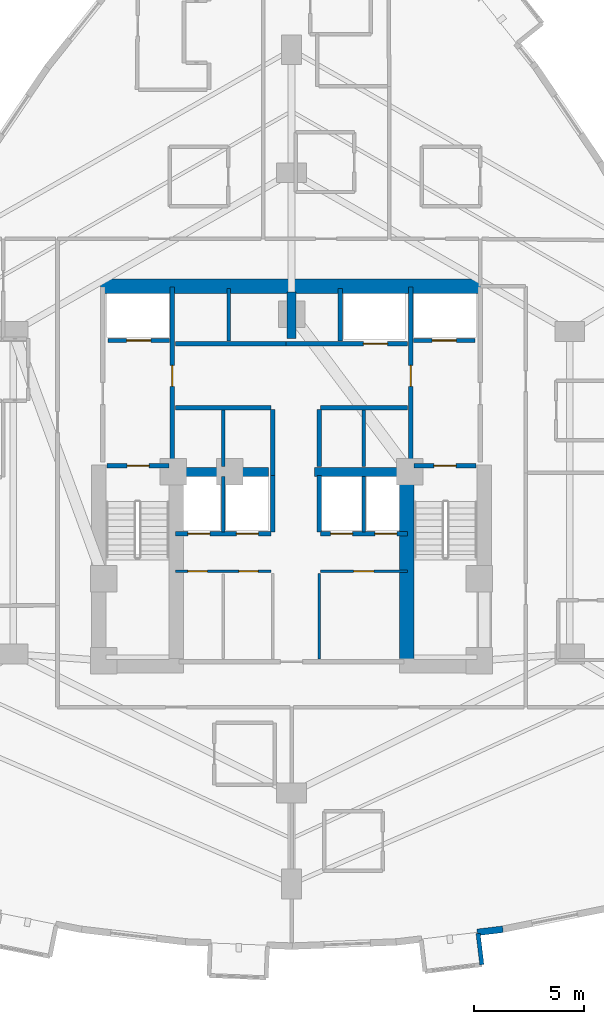
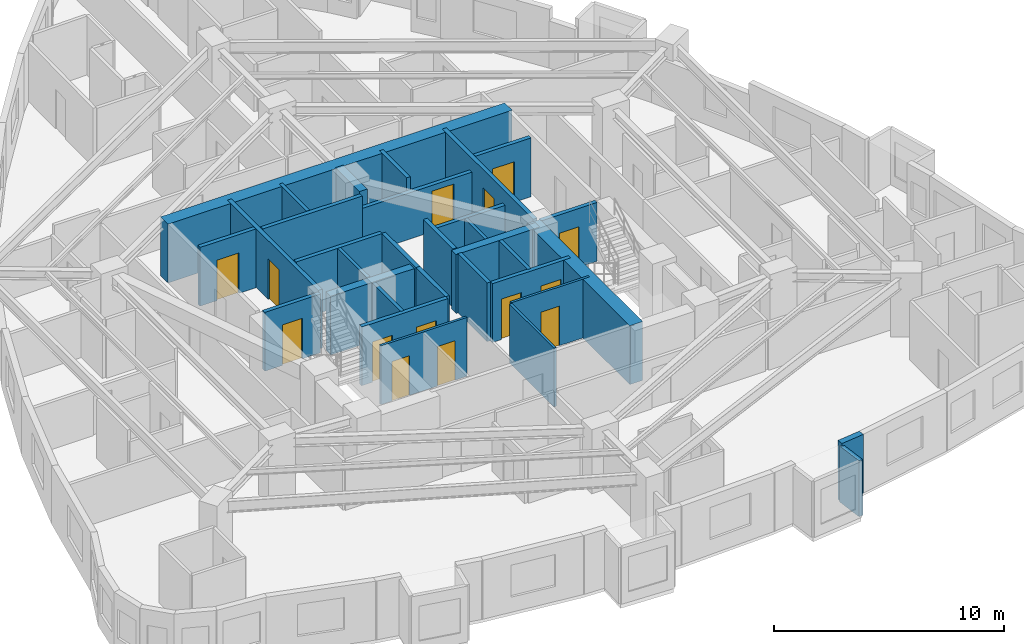
# One storey, part 8 of 13: 32 walls, 14 doors, 14 openings.
"""IFC4 building model written with IfcOpenShell, lengths in metres."""

import ifcopenshell
import ifcopenshell.guid

model = None  # the IFC model being written
_history = None  # IfcOwnerHistory: only IFC2X3 demands one
_inside = {}  # id of a spatial element -> (the spatial element, [elements in it])
_under = {}  # id of a project, library or spatial element -> (it, [spatial elements below it])
_declared = {}  # id of a project -> (the project, [libraries it declares])
_typed = {}  # id of a type object -> (the type object, [elements of that type])
_made_of = {}  # id of a material, layer set ... -> (it, [elements and type objects made of it])


def new_model(schema):
    """Start an empty IFC model of exactly this schema.

    Asked for "IFC4X3", IfcOpenShell would pick the latest addendum, in which some entities
    have other attributes; the version numbers below select the first issue.
    IFC2X3 requires an IfcOwnerHistory on every rooted entity: one is made here for all.
    """
    global model, _history
    if schema == "IFC4X3":
        model = ifcopenshell.file(schema_version=(4, 3, 0, 0))
    else:
        model = ifcopenshell.file(schema=schema)
    _inside.clear()
    _under.clear()
    _declared.clear()
    _typed.clear()
    _made_of.clear()
    _history = None
    if model.schema == "IFC2X3":
        org = make("IfcOrganization", Name="unknown")
        user = make(
            "IfcPersonAndOrganization",
            ThePerson=make("IfcPerson", FamilyName="unknown"),
            TheOrganization=org,
        )
        app = make(
            "IfcApplication",
            ApplicationDeveloper=org,
            Version="unknown",
            ApplicationFullName="unknown",
            ApplicationIdentifier="unknown",
        )
        _history = make(
            "IfcOwnerHistory",
            OwningUser=user,
            OwningApplication=app,
            ChangeAction="ADDED",
            CreationDate=0,
        )
    return model


def make(cls, **values):
    """One entity of the class cls with the attributes given. An attribute that is None is left unset."""
    return model.create_entity(
        cls, **{name: value for name, value in values.items() if value is not None}
    )


def rooted(cls, **values):
    """An entity with a GlobalId (a new one), such as an element, a storey or a relation."""
    return make(cls, GlobalId=ifcopenshell.guid.new(), OwnerHistory=_history, **values)


def si_unit(unit_type, name, prefix=None):
    """IfcSIUnit, for example si_unit("LENGTHUNIT", "METRE", prefix="MILLI")."""
    return make("IfcSIUnit", UnitType=unit_type, Prefix=prefix, Name=name)


def assignment(units):
    """IfcUnitAssignment: the units of a project."""
    return None if units is None else make("IfcUnitAssignment", Units=units)


def point(xyz):
    """IfcCartesianPoint."""
    return None if xyz is None else make("IfcCartesianPoint", Coordinates=xyz)


def direction(xyz):
    """IfcDirection."""
    return None if xyz is None else make("IfcDirection", DirectionRatios=xyz)


def frame(location, z_axis=None, x_axis=None):
    """IfcAxis2Placement3D, a coordinate frame: its origin and axes. An axis left out is left unset."""
    return make(
        "IfcAxis2Placement3D",
        Location=point(location),
        Axis=direction(z_axis),
        RefDirection=direction(x_axis),
    )


def frame_2d(location, x_axis=None):
    """IfcAxis2Placement2D, a coordinate frame in the plane: its origin and x axis."""
    return make(
        "IfcAxis2Placement2D", Location=point(location), RefDirection=direction(x_axis)
    )


def origin():
    """The frame at (0, 0, 0) with its axes left unset."""
    return frame((0.0, 0.0, 0.0))


def place(relative_to, where):
    """IfcLocalPlacement: puts the frame where relative to a parent placement (None: the world)."""
    return make(
        "IfcLocalPlacement", PlacementRelTo=relative_to, RelativePlacement=where
    )


def context(
    kind, dimensions, precision=None, world=None, true_north=None, identifier=None
):
    """IfcGeometricRepresentationContext, for example the 3D "Model" context."""
    return make(
        "IfcGeometricRepresentationContext",
        ContextIdentifier=identifier,
        ContextType=kind,
        CoordinateSpaceDimension=dimensions,
        Precision=precision,
        WorldCoordinateSystem=world,
        TrueNorth=true_north,
    )


def subcontext(parent, identifier, kind, view, scale=None):
    """IfcGeometricRepresentationSubContext, for example "Body" below "Model"."""
    return make(
        "IfcGeometricRepresentationSubContext",
        ContextIdentifier=identifier,
        ContextType=kind,
        ParentContext=parent,
        TargetScale=scale,
        TargetView=view,
    )


def project(units=None, contexts=None):
    """IfcProject with its units and contexts."""
    return rooted(
        "IfcProject",
        Name="project",
        RepresentationContexts=contexts,
        UnitsInContext=assignment(units),
    )


def spatial(cls, under=None, at=None, **own):
    """A site, building, storey or space (cls), placed at a placement, below another one or the project."""
    s = rooted(cls, ObjectPlacement=at, **own)
    if under is not None:
        _under.setdefault(under.id(), (under, []))[1].append(s)
    return s


def profile(cls, at=None, kind="AREA", **sizes):
    """A parametric profile (cls). Its sizes go by their IFC names, for example OverallWidth=200.0."""
    return make(cls, ProfileType=kind, Position=at, **sizes)


def rectangle(**sizes):
    """IfcRectangleProfileDef."""
    return profile("IfcRectangleProfileDef", **sizes)


def extrude(swept, where, along, depth):
    """IfcExtrudedAreaSolid: the profile swept, set in the frame where, extruded along a direction by depth."""
    return make(
        "IfcExtrudedAreaSolid",
        SweptArea=swept,
        Position=where,
        ExtrudedDirection=direction(along),
        Depth=depth,
    )


def shape(context_of_items, identifier, shape_type, items):
    """IfcShapeRepresentation: the items that make up one representation, for example the "Body"."""
    return make(
        "IfcShapeRepresentation",
        ContextOfItems=context_of_items,
        RepresentationIdentifier=identifier,
        RepresentationType=shape_type,
        Items=items,
    )


def material(Name=None, Category=None):
    """IfcMaterial."""
    return make("IfcMaterial", Name=Name, Category=Category)


def layer(
    of_material, thickness, ventilated=None, Name=None, Category=None, Priority=None
):
    """IfcMaterialLayer: one layer of a wall or slab, of a material (None: an air gap)."""
    return make(
        "IfcMaterialLayer",
        Material=of_material,
        LayerThickness=thickness,
        IsVentilated=ventilated,
        Name=Name,
        Category=Category,
        Priority=Priority,
    )


def layer_set(layers, Name=None):
    """IfcMaterialLayerSet."""
    return make("IfcMaterialLayerSet", MaterialLayers=layers, LayerSetName=Name)


def made_of(thing, what):
    """Note that an element or type object is made of a material, layer set ...; save() writes the relation."""
    if what is not None:
        _made_of.setdefault(what.id(), (what, []))[1].append(thing)
    return thing


def type_object(cls, material=None, **own):
    """A type object (cls), such as IfcWallType, which elements share."""
    return made_of(rooted(cls, **own), material)


def element(
    cls,
    number,
    at=None,
    inside=None,
    cuts=None,
    type_object=None,
    material=None,
    context=None,
    identifier="Body",
    shape_type=None,
    held_by="IfcProductDefinitionShape",
    body=None,
    shapes=None,
    **own,
):
    """One element of the class cls, such as IfcWall. Its Tag is "e" and its number.

    at: its placement. inside: the storey or other place that contains it. cuts: it is an
    opening in that element (IfcRelVoidsElement). A single representation is given by context,
    identifier, shape_type and body (its items); several are given by shapes. held_by: the class
    of the entity that holds the representations. save() writes the other relations.
    """
    e = rooted(cls, Tag="e%d" % number, ObjectPlacement=at, **own)
    if body is not None:
        shapes = [shape(context, identifier, shape_type, body)]
    if shapes is not None:
        e.Representation = make(held_by, Representations=shapes)
    if inside is not None:
        _inside.setdefault(inside.id(), (inside, []))[1].append(e)
    if cuts is not None:
        rooted(
            "IfcRelVoidsElement", RelatingBuildingElement=cuts, RelatedOpeningElement=e
        )
    if type_object is not None:
        _typed.setdefault(type_object.id(), (type_object, []))[1].append(e)
    return made_of(e, material)


def fill(opening, filler):
    """IfcRelFillsElement: the door or window that sits in an opening."""
    return rooted(
        "IfcRelFillsElement",
        RelatingOpeningElement=opening,
        RelatedBuildingElement=filler,
    )


def aggregate(whole, parts):
    """IfcRelAggregates: a whole, such as a stair, and the parts it consists of."""
    return rooted("IfcRelAggregates", RelatingObject=whole, RelatedObjects=parts)


def save(model, path):
    """Write the relations noted so far, then the file.

    IfcRelAggregates (storeys below a building ...), IfcRelContainedInSpatialStructure (elements
    in a storey), IfcRelDefinesByType, IfcRelAssociatesMaterial and IfcRelDeclares: one each for
    every whole, place, type object, material and project.
    """
    for whole, parts in _under.values():
        aggregate(whole, parts)
    for where, things in _inside.values():
        rooted(
            "IfcRelContainedInSpatialStructure",
            RelatedElements=things,
            RelatingStructure=where,
        )
    for kind, things in _typed.values():
        rooted("IfcRelDefinesByType", RelatedObjects=things, RelatingType=kind)
    for what, things in _made_of.values():
        rooted("IfcRelAssociatesMaterial", RelatedObjects=things, RelatingMaterial=what)
    for by, libraries in _declared.values():
        rooted("IfcRelDeclares", RelatingContext=by, RelatedDefinitions=libraries)
    model.write(path)


model = new_model("IFC4")

# Units and contexts
model_context = context("Model", 3, precision=1e-05, world=origin(), true_north=direction((0.0, 1.0)))
body_context = subcontext(model_context, "Body", "Model", "MODEL_VIEW")
ifc_project = project(units=[si_unit("LENGTHUNIT", "METRE"), si_unit("AREAUNIT", "SQUARE_METRE"), si_unit("VOLUMEUNIT", "CUBIC_METRE"), si_unit("PLANEANGLEUNIT", "RADIAN"), si_unit("MASSUNIT", "GRAM", prefix="KILO")], contexts=[model_context])

# Site, building, storey
site_placement = place(None, origin())
site = spatial("IfcSite", under=ifc_project, at=site_placement, CompositionType="ELEMENT")
building_placement = place(site_placement, origin())
building = spatial("IfcBuilding", under=site, at=building_placement, Name="Miruveldt Soraemaru", CompositionType="ELEMENT")
storey_placement = place(building_placement, frame((0.0, 0.0, 63.199951171875)))
storey = spatial("IfcBuildingStorey", under=building, at=storey_placement, Name="L17", CompositionType="ELEMENT", Elevation=63.199951171875)

# Walls
ifc_material_1 = material(Name="White powder-coated aluminium EN AW-6060 T6", Category="aluminium")
ifc_layer_1 = layer(ifc_material_1, 0.18994140625, Name="White powder-coated aluminium EN AW-6060 T6", Category="aluminium")
ifc_layer_set_1 = layer_set([ifc_layer_1], Name="White powder-coated aluminium EN AW-6060 T6")
wall_type_1 = type_object("IfcWallType", Name="WALL-BAY-ALU190", PredefinedType="SOLIDWALL", material=ifc_layer_set_1)
wall_1_placement = place(storey_placement, frame((52.62060546875, 21.728271484375, 0.0), z_axis=(0.0, 0.0, 1.0), x_axis=(-0.119057405757, 0.992887372331, 0.0)))
element("IfcWall", 1, at=wall_1_placement, inside=storey, type_object=wall_type_1, Name="L17 Bay Window Side Cheek 3R", PredefinedType="SOLIDWALL", context=body_context, shape_type="SweptSolid", body=[
    extrude(rectangle(XDim=1.42529296875, YDim=0.18994140625, at=frame_2d((0.712646484375, 0.0))), origin(), (0.0, 0.0, 1.0), 2.97509765625),
])
ifc_material_2 = material(Name="Concrete C70/85 (70 MPa)", Category="concrete")
ifc_layer_2 = layer(ifc_material_2, 0.5, Name="Concrete C70/85 (70 MPa)", Category="concrete")
ifc_layer_set_2 = layer_set([ifc_layer_2], Name="Concrete C70/85 (70 MPa)")
wall_type_2 = type_object("IfcWallType", Name="WALL-BW-500", PredefinedType="SHEAR", material=ifc_layer_set_2)
wall_2_placement = place(storey_placement, frame((44.0, 50.10009765625, 0.0), z_axis=(0.0, 0.0, 1.0), x_axis=(0.0, 1.0, 0.0)))
element("IfcWall", 2, at=wall_2_placement, inside=storey, type_object=wall_type_2, Name="L17 Core Buttress Shear Wall BN", PredefinedType="SHEAR", context=body_context, shape_type="SweptSolid", body=[
    extrude(rectangle(XDim=2.099853515625, YDim=0.39990234375, at=frame_2d((1.0498046875, 0.0))), origin(), (0.0, 0.0, 1.0), 3.125),
])
for number, where, z_axis, x_axis, name in (
    (3, (38.75, 44.050048828125, 0.0), (0.0, 0.0, 1.0), (1.0, 0.0, 0.0), "L17 Core Buttress Shear Wall BW"),
    (4, (45.050048828125, 44.050048828125, 0.0), (0.0, 0.0, 1.0), (1.0, 0.0, 0.0), "L17 Core Buttress Shear Wall BE"),
):
    element("IfcWall", number, at=place(storey_placement, frame(where, z_axis=z_axis, x_axis=x_axis)), inside=storey, type_object=wall_type_2, Name=name, PredefinedType="SHEAR", context=body_context, shape_type="SweptSolid", body=[
        extrude(rectangle(XDim=4.199951171875, YDim=0.39990234375, at=frame_2d((2.10009765625, 0.0))), origin(), (0.0, 0.0, 1.0), 3.125),
    ])
ifc_material_3 = material(Name="Concrete C80/95 (80 MPa)", Category="concrete")
ifc_layer_3 = layer(ifc_material_3, 0.64990234375, Name="Concrete C80/95 (80 MPa)", Category="concrete")
ifc_layer_set_3 = layer_set([ifc_layer_3], Name="Concrete C80/95 (80 MPa)")
wall_type_3 = type_object("IfcWallType", Name="WALL-CW-650", PredefinedType="SHEAR", material=ifc_layer_set_3)
wall_3_placement = place(storey_placement, frame((35.35009765625, 52.449951171875, 0.0), z_axis=(0.0, 0.0, 1.0), x_axis=(1.0, 0.0, 0.0)))
element("IfcWall", 5, at=wall_3_placement, inside=storey, type_object=wall_type_3, Name="L17 Central Core Shear Wall N", PredefinedType="SHEAR", context=body_context, shape_type="SweptSolid", body=[
    extrude(rectangle(XDim=17.2998046875, YDim=0.64990234375, at=frame_2d((8.64990234375, 0.0))), origin(), (0.0, 0.0, 1.0), 3.125),
])
wall_4_placement = place(storey_placement, frame((49.22509765625, 35.39990234375, 0.0), z_axis=(0.0, 0.0, 1.0), x_axis=(0.0, 1.0, 0.0)))
element("IfcWall", 6, at=wall_4_placement, inside=storey, type_object=wall_type_3, Name="L17 Central Core Shear Wall SE-INT", PredefinedType="SHEAR", context=body_context, shape_type="SweptSolid", body=[
    extrude(rectangle(XDim=8.9501953125, YDim=0.64990234375, at=frame_2d((4.47509765625, 0.0))), origin(), (0.0, 0.0, 1.0), 3.125),
])
ifc_material_4 = material(Name="Precast concrete C45/55 (45 MPa)", Category="concrete")
ifc_layer_4 = layer(ifc_material_4, 0.300048828125, Name="Precast concrete C45/55 (45 MPa)", Category="concrete")
ifc_layer_set_4 = layer_set([ifc_layer_4], Name="Precast concrete C45/55 (45 MPa)")
wall_type_4 = type_object("IfcWallType", Name="WALL-EXT-PC300", PredefinedType="SOLIDWALL", material=ifc_layer_set_4)
wall_5_placement = place(storey_placement, frame((52.41455078125, 23.194091796875, 0.0), z_axis=(0.0, 0.0, 1.0), x_axis=(0.992861979082, 0.119268983789, 0.0)))
element("IfcWall", 7, at=wall_5_placement, inside=storey, type_object=wall_type_4, Name="L17 Precast Pier Wall 26B", PredefinedType="SOLIDWALL", context=body_context, shape_type="SweptSolid", body=[
    extrude(rectangle(XDim=1.166748046875, YDim=0.300048828125, at=frame_2d((0.58349609375, 0.0))), origin(), (0.0, 0.0, 1.0), 3.125),
])

# Wall, openings, doors
ifc_material_5 = material(Name="Gypsum plasterboard lining", Category="gypsum")
ifc_layer_5 = layer(ifc_material_5, 0.1201171875, Name="Gypsum plasterboard lining", Category="gypsum")
ifc_layer_set_5 = layer_set([ifc_layer_5], Name="Gypsum plasterboard lining")
wall_type_5 = type_object("IfcWallType", Name="WALL-INT-P120", PredefinedType="PARTITIONING", material=ifc_layer_set_5)
wall_6_placement = place(storey_placement, frame((38.75, 39.550048828125, 0.0), z_axis=(0.0, 0.0, 1.0), x_axis=(1.0, 0.0, 0.0)))
wall_6 = element("IfcWall", 8, at=wall_6_placement, inside=storey, type_object=wall_type_5, Name="L17 Core Compartment Wall CSW-N", PredefinedType="PARTITIONING", context=body_context, shape_type="SweptSolid", body=[
    extrude(rectangle(XDim=4.330078125, YDim=0.1201171875, at=frame_2d((2.1650390625, 0.0))), origin(), (0.0, 0.0, 1.0), 3.125),
])
opening_1_placement = place(wall_6_placement, frame((0.56005859375, 0.0, 0.0)))
opening_1 = element("IfcOpeningElement", 9, at=opening_1_placement, cuts=wall_6, Name="Opening D4", PredefinedType="OPENING", context=body_context, shape_type="SweptSolid", body=[
    extrude(rectangle(XDim=0.8798828125, YDim=2.10009765625, at=frame_2d((0.43994140625, 1.050048828125))), frame((0.0, 0.070068359375, 0.0), z_axis=(0.0, -1.0, 0.0), x_axis=(1.0, 0.0, 0.0)), (0.0, 0.0, 1.0), 0.14013671875),
])
opening_2_placement = place(wall_6_placement, frame((2.860107421875, 0.0, 0.0)))
opening_2 = element("IfcOpeningElement", 10, at=opening_2_placement, cuts=wall_6, Name="Opening D4", PredefinedType="OPENING", context=body_context, shape_type="SweptSolid", body=[
    extrude(rectangle(XDim=0.8798828125, YDim=2.10009765625, at=frame_2d((0.43994140625, 1.050048828125))), frame((0.0, 0.070068359375, 0.0), z_axis=(0.0, -1.0, 0.0), x_axis=(1.0, 0.0, 0.0)), (0.0, 0.0, 1.0), 0.14013671875),
])
ifc_material_6 = material(Name="Anodised aluminium EN AW-6063 T6", Category="aluminium")
door_type_1 = type_object("IfcDoorType", Name="DOOR-INT-880", OperationType="NOTDEFINED", PredefinedType="DOOR", material=ifc_material_6)
door_1_placement = place(opening_1_placement, origin())
door_1 = element("IfcDoor", 11, at=door_1_placement, inside=storey, type_object=door_type_1, Name="L17 Fire Door", OperationType="SINGLE_SWING_LEFT", OverallHeight=2.10009765625, OverallWidth=0.8798828125, PredefinedType="DOOR", context=body_context, shape_type="SweptSolid", body=[
    extrude(rectangle(XDim=0.8798828125, YDim=2.10009765625, at=frame_2d((0.43994140625, 1.050048828125))), frame((0.0, 0.02490234375, 0.0), z_axis=(0.0, -1.0, 0.0), x_axis=(1.0, 0.0, 0.0)), (0.0, 0.0, 1.0), 0.050048828125),
])
fill(opening_1, door_1)
door_2_placement = place(opening_2_placement, origin())
door_2 = element("IfcDoor", 12, at=door_2_placement, inside=storey, type_object=door_type_1, Name="L17 Fire Door", OperationType="SINGLE_SWING_LEFT", OverallHeight=2.10009765625, OverallWidth=0.8798828125, PredefinedType="DOOR", context=body_context, shape_type="SweptSolid", body=[
    extrude(rectangle(XDim=0.8798828125, YDim=2.10009765625, at=frame_2d((0.43994140625, 1.050048828125))), frame((0.0, 0.02490234375, 0.0), z_axis=(0.0, -1.0, 0.0), x_axis=(1.0, 0.0, 0.0)), (0.0, 0.0, 1.0), 0.050048828125),
])
fill(opening_2, door_2)

# Wall, opening, door
wall_7_placement = place(storey_placement, frame((45.320068359375, 39.550048828125, 0.0), z_axis=(0.0, 0.0, 1.0), x_axis=(1.0, 0.0, 0.0)))
wall_7 = element("IfcWall", 13, at=wall_7_placement, inside=storey, type_object=wall_type_5, Name="L17 Core Compartment Wall CSE-N", PredefinedType="PARTITIONING", context=body_context, shape_type="SweptSolid", body=[
    extrude(rectangle(XDim=3.929931640625, YDim=0.1201171875, at=frame_2d((1.96484375, 0.0))), origin(), (0.0, 0.0, 1.0), 3.125),
])
opening_3_placement = place(wall_7_placement, frame((1.489990234375, 0.0, 0.0)))
opening_3 = element("IfcOpeningElement", 14, at=opening_3_placement, cuts=wall_7, Name="Opening D3A", PredefinedType="OPENING", context=body_context, shape_type="SweptSolid", body=[
    extrude(rectangle(XDim=0.919921875, YDim=2.10009765625, at=frame_2d((0.4599609375, 1.050048828125))), frame((0.0, 0.070068359375, 0.0), z_axis=(0.0, -1.0, 0.0), x_axis=(1.0, 0.0, 0.0)), (0.0, 0.0, 1.0), 0.14013671875),
])
door_type_2 = type_object("IfcDoorType", Name="DOOR-INT-920", OperationType="NOTDEFINED", PredefinedType="DOOR", material=ifc_material_6)
door_3_placement = place(opening_3_placement, origin())
door_3 = element("IfcDoor", 15, at=door_3_placement, inside=storey, type_object=door_type_2, Name="L17 Fire Door", OperationType="SINGLE_SWING_LEFT", OverallHeight=2.10009765625, OverallWidth=0.919921875, PredefinedType="DOOR", context=body_context, shape_type="SweptSolid", body=[
    extrude(rectangle(XDim=0.919921875, YDim=2.10009765625, at=frame_2d((0.4599609375, 1.050048828125))), frame((0.0, 0.02490234375, 0.0), z_axis=(0.0, -1.0, 0.0), x_axis=(1.0, 0.0, 0.0)), (0.0, 0.0, 1.0), 0.050048828125),
])
fill(opening_3, door_3)

# Walls
wall_8_placement = place(storey_placement, frame((45.25, 35.580078125, 0.0), z_axis=(0.0, 0.0, 1.0), x_axis=(0.0, 1.0, 0.0)))
element("IfcWall", 16, at=wall_8_placement, inside=storey, type_object=wall_type_5, Name="L17 Core Compartment Wall SP-ES", PredefinedType="PARTITIONING", context=body_context, shape_type="SweptSolid", body=[
    extrude(rectangle(XDim=3.869873046875, YDim=0.1201171875, at=frame_2d((1.93505859375, 0.0))), origin(), (0.0, 0.0, 1.0), 3.125),
])
ifc_material_7 = material(Name="Concrete C40/50 (40 MPa)", Category="concrete")
ifc_layer_6 = layer(ifc_material_7, 0.159912109375, Name="Concrete C40/50 (40 MPa)", Category="concrete")
ifc_layer_set_6 = layer_set([ifc_layer_6], Name="Concrete C40/50 (40 MPa)")
wall_type_6 = type_object("IfcWallType", Name="WALL-INT-RC160", PredefinedType="SOLIDWALL", material=ifc_layer_set_6)
wall_9_placement = place(storey_placement, frame((40.89990234375, 44.300048828125, 0.0), z_axis=(0.0, 0.0, 1.0), x_axis=(0.0, 1.0, 0.0)))
element("IfcWall", 17, at=wall_9_placement, inside=storey, type_object=wall_type_6, Name="L17 Core Compartment Wall PLM-DW", PredefinedType="SOLIDWALL", context=body_context, shape_type="SweptSolid", body=[
    extrude(rectangle(XDim=2.550048828125, YDim=0.159912109375, at=frame_2d((1.27490234375, 0.0))), origin(), (0.0, 0.0, 1.0), 3.125),
])
wall_10_placement = place(storey_placement, frame((47.280029296875, 44.300048828125, 0.0), z_axis=(0.0, 0.0, 1.0), x_axis=(0.0, 1.0, 0.0)))
element("IfcWall", 18, at=wall_10_placement, inside=storey, type_object=wall_type_6, Name="L17 Core Compartment Wall PLM-DE", PredefinedType="SOLIDWALL", context=body_context, shape_type="SweptSolid", body=[
    extrude(rectangle(XDim=2.550048828125, YDim=0.159912109375, at=frame_2d((1.27490234375, 0.0))), origin(), (0.0, 0.0, 1.0), 2.463134765625),
])
for number, where, z_axis, x_axis, name in (
    (19, (40.89990234375, 41.320068359375, 0.0), (0.0, 0.0, 1.0), (0.0, 1.0, 0.0), "L17 Core Compartment Wall PLL-DW"),
    (20, (47.280029296875, 41.320068359375, 0.0), (0.0, 0.0, 1.0), (0.0, 1.0, 0.0), "L17 Core Compartment Wall PLL-DE"),
):
    element("IfcWall", number, at=place(storey_placement, frame(where, z_axis=z_axis, x_axis=x_axis)), inside=storey, type_object=wall_type_6, Name=name, PredefinedType="SOLIDWALL", context=body_context, shape_type="SweptSolid", body=[
        extrude(rectangle(XDim=2.530029296875, YDim=0.159912109375, at=frame_2d((1.26513671875, 0.0))), origin(), (0.0, 0.0, 1.0), 3.125),
    ])
wall_11_placement = place(storey_placement, frame((41.14990234375, 49.97998046875, 0.0), z_axis=(0.0, 0.0, 1.0), x_axis=(0.0, 1.0, 0.0)))
element("IfcWall", 21, at=wall_11_placement, inside=storey, type_object=wall_type_6, Name="L17 Core Compartment Wall PLH-DIV1", PredefinedType="SOLIDWALL", context=body_context, shape_type="SweptSolid", body=[
    extrude(rectangle(XDim=2.3701171875, YDim=0.159912109375, at=frame_2d((1.18505859375, 0.0))), origin(), (0.0, 0.0, 1.0), 3.125),
])

# Wall, opening, door
ifc_layer_7 = layer(ifc_material_7, 0.199951171875, Name="Concrete C40/50 (40 MPa)", Category="concrete")
ifc_layer_set_7 = layer_set([ifc_layer_7], Name="Concrete C40/50 (40 MPa)")
wall_type_7 = type_object("IfcWallType", Name="WALL-INT-RC200", PredefinedType="SOLIDWALL", material=ifc_layer_set_7)
wall_12_placement = place(storey_placement, frame((38.60009765625, 44.5, 0.0), z_axis=(0.0, 0.0, 1.0), x_axis=(0.0, 1.0, 0.0)))
wall_12 = element("IfcWall", 22, at=wall_12_placement, inside=storey, type_object=wall_type_7, Name="L17 Core Compartment Wall FFW-IN", PredefinedType="SOLIDWALL", context=body_context, shape_type="SweptSolid", body=[
    extrude(rectangle(XDim=7.919921875, YDim=0.199951171875, at=frame_2d((3.9599609375, 0.0))), origin(), (0.0, 0.0, 1.0), 3.125),
])
opening_4_placement = place(wall_12_placement, frame((3.425048828125, 0.0, 0.0)))
opening_4 = element("IfcOpeningElement", 23, at=opening_4_placement, cuts=wall_12, Name="Opening FD2", PredefinedType="OPENING", context=body_context, shape_type="SweptSolid", body=[
    extrude(rectangle(XDim=0.949951171875, YDim=2.14990234375, at=frame_2d((0.47509765625, 1.074951171875))), frame((0.0, 0.10986328125, 0.0), z_axis=(0.0, -1.0, 0.0), x_axis=(1.0, 0.0, 0.0)), (0.0, 0.0, 1.0), 0.219970703125),
])
door_type_3 = type_object("IfcDoorType", Name="DOOR-FD2-950", OperationType="NOTDEFINED", PredefinedType="DOOR", material=ifc_material_6)
door_4_placement = place(opening_4_placement, frame((0.949951171875, 0.0, 0.0), z_axis=(0.0, 0.0, 1.0), x_axis=(-1.0, 0.0, 0.0)))
door_4 = element("IfcDoor", 24, at=door_4_placement, inside=storey, type_object=door_type_3, Name="L17 Lift Lobby to West Fire Lobby Door", OperationType="SINGLE_SWING_RIGHT", OverallHeight=2.14990234375, OverallWidth=0.949951171875, PredefinedType="DOOR", context=body_context, shape_type="SweptSolid", body=[
    extrude(rectangle(XDim=0.949951171875, YDim=2.14990234375, at=frame_2d((0.47509765625, 1.074951171875))), frame((0.0, 0.02490234375, 0.0), z_axis=(0.0, -1.0, 0.0), x_axis=(1.0, 0.0, 0.0)), (0.0, 0.0, 1.0), 0.050048828125),
])
fill(opening_4, door_4)

wall_13_placement = place(storey_placement, frame((49.39990234375, 44.5, 0.0), z_axis=(0.0, 0.0, 1.0), x_axis=(0.0, 1.0, 0.0)))
wall_13 = element("IfcWall", 25, at=wall_13_placement, inside=storey, type_object=wall_type_7, Name="L17 Core Compartment Wall FFE-IN", PredefinedType="SOLIDWALL", context=body_context, shape_type="SweptSolid", body=[
    extrude(rectangle(XDim=7.919921875, YDim=0.199951171875, at=frame_2d((3.9599609375, 0.0))), origin(), (0.0, 0.0, 1.0), 3.125),
])
opening_5_placement = place(wall_13_placement, frame((3.425048828125, 0.0, 0.0)))
opening_5 = element("IfcOpeningElement", 26, at=opening_5_placement, cuts=wall_13, Name="Opening FD2", PredefinedType="OPENING", context=body_context, shape_type="SweptSolid", body=[
    extrude(rectangle(XDim=0.949951171875, YDim=2.14990234375, at=frame_2d((0.47509765625, 1.074951171875))), frame((0.0, 0.10986328125, 0.0), z_axis=(0.0, -1.0, 0.0), x_axis=(1.0, 0.0, 0.0)), (0.0, 0.0, 1.0), 0.219970703125),
])
door_5_placement = place(opening_5_placement, origin())
door_5 = element("IfcDoor", 27, at=door_5_placement, inside=storey, type_object=door_type_3, Name="L17 Lift Lobby to East Fire Lobby Door", OperationType="SINGLE_SWING_LEFT", OverallHeight=2.14990234375, OverallWidth=0.949951171875, PredefinedType="DOOR", context=body_context, shape_type="SweptSolid", body=[
    extrude(rectangle(XDim=0.949951171875, YDim=2.14990234375, at=frame_2d((0.47509765625, 1.074951171875))), frame((0.0, 0.02490234375, 0.0), z_axis=(0.0, -1.0, 0.0), x_axis=(1.0, 0.0, 0.0)), (0.0, 0.0, 1.0), 0.050048828125),
])
fill(opening_5, door_5)

wall_14_placement = place(storey_placement, frame((43.75, 49.85009765625, 0.0), z_axis=(0.0, 0.0, 1.0), x_axis=(1.0, 0.0, 0.0)))
wall_14 = element("IfcWall", 28, at=wall_14_placement, inside=storey, type_object=wall_type_7, Name="L17 Core Compartment Wall ROWA-SE", PredefinedType="SOLIDWALL", context=body_context, shape_type="SweptSolid", body=[
    extrude(rectangle(XDim=5.5, YDim=0.199951171875, at=frame_2d((2.75, 0.0))), origin(), (0.0, 0.0, 1.0), 2.463134765625),
])
opening_6_placement = place(wall_14_placement, frame((3.5, 0.0, 0.0)))
opening_6 = element("IfcOpeningElement", 29, at=opening_6_placement, cuts=wall_14, Name="Opening LD2", PredefinedType="OPENING", context=body_context, shape_type="SweptSolid", body=[
    extrude(rectangle(XDim=1.10009765625, YDim=2.14990234375, at=frame_2d((0.550048828125, 1.074951171875))), frame((0.0, 0.10986328125, 0.0), z_axis=(0.0, -1.0, 0.0), x_axis=(1.0, 0.0, 0.0)), (0.0, 0.0, 1.0), 0.219970703125),
])
door_type_4 = type_object("IfcDoorType", Name="DOOR-LD2-1100", OperationType="SLIDING_TO_LEFT", PredefinedType="DOOR", material=ifc_material_6)
door_6_placement = place(opening_6_placement, origin())
door_6 = element("IfcDoor", 30, at=door_6_placement, inside=storey, type_object=door_type_4, Name="L17 SL-1 Landing Door", OperationType="SLIDING_TO_LEFT", OverallHeight=2.14990234375, OverallWidth=1.10009765625, PredefinedType="DOOR", context=body_context, shape_type="SweptSolid", body=[
    extrude(rectangle(XDim=1.10009765625, YDim=2.14990234375, at=frame_2d((0.550048828125, 1.074951171875))), frame((0.0, 0.02490234375, 0.0), z_axis=(0.0, -1.0, 0.0), x_axis=(1.0, 0.0, 0.0)), (0.0, 0.0, 1.0), 0.050048828125),
])
fill(opening_6, door_6)

# Wall, openings, doors
wall_15_placement = place(storey_placement, frame((38.75, 41.25, 0.0), z_axis=(0.0, 0.0, 1.0), x_axis=(1.0, 0.0, 0.0)))
wall_15 = element("IfcWall", 31, at=wall_15_placement, inside=storey, type_object=wall_type_7, Name="L17 Core Compartment Wall LBW-S", PredefinedType="SOLIDWALL", context=body_context, shape_type="SweptSolid", body=[
    extrude(rectangle(XDim=4.330078125, YDim=0.199951171875, at=frame_2d((2.1650390625, 0.0))), origin(), (0.0, 0.0, 1.0), 3.125),
])
opening_7_placement = place(wall_15_placement, frame((0.550048828125, 0.0, 0.0)))
opening_7 = element("IfcOpeningElement", 32, at=opening_7_placement, cuts=wall_15, Name="Opening LD1B", PredefinedType="OPENING", context=body_context, shape_type="SweptSolid", body=[
    extrude(rectangle(XDim=1.0, YDim=2.14990234375, at=frame_2d((0.5, 1.074951171875))), frame((0.0, 0.10986328125, 0.0), z_axis=(0.0, -1.0, 0.0), x_axis=(1.0, 0.0, 0.0)), (0.0, 0.0, 1.0), 0.219970703125),
])
opening_8_placement = place(wall_15_placement, frame((2.75, 0.0, 0.0)))
opening_8 = element("IfcOpeningElement", 33, at=opening_8_placement, cuts=wall_15, Name="Opening LD1B", PredefinedType="OPENING", context=body_context, shape_type="SweptSolid", body=[
    extrude(rectangle(XDim=1.0, YDim=2.14990234375, at=frame_2d((0.5, 1.074951171875))), frame((0.0, 0.10986328125, 0.0), z_axis=(0.0, -1.0, 0.0), x_axis=(1.0, 0.0, 0.0)), (0.0, 0.0, 1.0), 0.219970703125),
])
door_type_5 = type_object("IfcDoorType", Name="DOOR-LD1-1000", OperationType="SLIDING_TO_LEFT", PredefinedType="DOOR", material=ifc_material_6)
door_7_placement = place(opening_7_placement, frame((1.0, 0.0, 0.0), z_axis=(0.0, 0.0, 1.0), x_axis=(-1.0, 0.0, 0.0)))
door_7 = element("IfcDoor", 34, at=door_7_placement, inside=storey, type_object=door_type_5, Name="L17 PL-L1 Landing Door", OperationType="SLIDING_TO_LEFT", OverallHeight=2.14990234375, OverallWidth=1.0, PredefinedType="DOOR", context=body_context, shape_type="SweptSolid", body=[
    extrude(rectangle(XDim=1.0, YDim=2.14990234375, at=frame_2d((0.5, 1.074951171875))), frame((0.0, 0.02490234375, 0.0), z_axis=(0.0, -1.0, 0.0), x_axis=(1.0, 0.0, 0.0)), (0.0, 0.0, 1.0), 0.050048828125),
])
fill(opening_7, door_7)
door_8_placement = place(opening_8_placement, frame((1.0, 0.0, 0.0), z_axis=(0.0, 0.0, 1.0), x_axis=(-1.0, 0.0, 0.0)))
door_8 = element("IfcDoor", 35, at=door_8_placement, inside=storey, type_object=door_type_5, Name="L17 PL-L2 Landing Door", OperationType="SLIDING_TO_LEFT", OverallHeight=2.14990234375, OverallWidth=1.0, PredefinedType="DOOR", context=body_context, shape_type="SweptSolid", body=[
    extrude(rectangle(XDim=1.0, YDim=2.14990234375, at=frame_2d((0.5, 1.074951171875))), frame((0.0, 0.02490234375, 0.0), z_axis=(0.0, -1.0, 0.0), x_axis=(1.0, 0.0, 0.0)), (0.0, 0.0, 1.0), 0.050048828125),
])
fill(opening_8, door_8)

wall_16_placement = place(storey_placement, frame((45.320068359375, 41.25, 0.0), z_axis=(0.0, 0.0, 1.0), x_axis=(1.0, 0.0, 0.0)))
wall_16 = element("IfcWall", 36, at=wall_16_placement, inside=storey, type_object=wall_type_7, Name="L17 Core Compartment Wall LBE-S", PredefinedType="SOLIDWALL", context=body_context, shape_type="SweptSolid", body=[
    extrude(rectangle(XDim=3.929931640625, YDim=0.199951171875, at=frame_2d((1.96484375, 0.0))), origin(), (0.0, 0.0, 1.0), 3.125),
])
opening_9_placement = place(wall_16_placement, frame((0.449951171875, 0.0, 0.0)))
opening_9 = element("IfcOpeningElement", 37, at=opening_9_placement, cuts=wall_16, Name="Opening LD1B", PredefinedType="OPENING", context=body_context, shape_type="SweptSolid", body=[
    extrude(rectangle(XDim=1.0, YDim=2.14990234375, at=frame_2d((0.5, 1.074951171875))), frame((0.0, 0.10986328125, 0.0), z_axis=(0.0, -1.0, 0.0), x_axis=(1.0, 0.0, 0.0)), (0.0, 0.0, 1.0), 0.219970703125),
])
opening_10_placement = place(wall_16_placement, frame((2.449951171875, 0.0, 0.0)))
opening_10 = element("IfcOpeningElement", 38, at=opening_10_placement, cuts=wall_16, Name="Opening LD1B", PredefinedType="OPENING", context=body_context, shape_type="SweptSolid", body=[
    extrude(rectangle(XDim=1.0, YDim=2.14990234375, at=frame_2d((0.5, 1.074951171875))), frame((0.0, 0.10986328125, 0.0), z_axis=(0.0, -1.0, 0.0), x_axis=(1.0, 0.0, 0.0)), (0.0, 0.0, 1.0), 0.219970703125),
])
door_9_placement = place(opening_9_placement, frame((1.0, 0.0, 0.0), z_axis=(0.0, 0.0, 1.0), x_axis=(-1.0, 0.0, 0.0)))
door_9 = element("IfcDoor", 39, at=door_9_placement, inside=storey, type_object=door_type_5, Name="L17 PL-L3 Landing Door", OperationType="SLIDING_TO_LEFT", OverallHeight=2.14990234375, OverallWidth=1.0, PredefinedType="DOOR", context=body_context, shape_type="SweptSolid", body=[
    extrude(rectangle(XDim=1.0, YDim=2.14990234375, at=frame_2d((0.5, 1.074951171875))), frame((0.0, 0.02490234375, 0.0), z_axis=(0.0, -1.0, 0.0), x_axis=(1.0, 0.0, 0.0)), (0.0, 0.0, 1.0), 0.050048828125),
])
fill(opening_9, door_9)
door_10_placement = place(opening_10_placement, frame((1.0, 0.0, 0.0), z_axis=(0.0, 0.0, 1.0), x_axis=(-1.0, 0.0, 0.0)))
door_10 = element("IfcDoor", 40, at=door_10_placement, inside=storey, type_object=door_type_5, Name="L17 PL-L4 Landing Door", OperationType="SLIDING_TO_LEFT", OverallHeight=2.14990234375, OverallWidth=1.0, PredefinedType="DOOR", context=body_context, shape_type="SweptSolid", body=[
    extrude(rectangle(XDim=1.0, YDim=2.14990234375, at=frame_2d((0.5, 1.074951171875))), frame((0.0, 0.02490234375, 0.0), z_axis=(0.0, -1.0, 0.0), x_axis=(1.0, 0.0, 0.0)), (0.0, 0.0, 1.0), 0.050048828125),
])
fill(opening_10, door_10)

# Wall, opening, door
wall_17_placement = place(storey_placement, frame((35.64990234375, 44.320068359375, 0.0), z_axis=(0.0, 0.0, 1.0), x_axis=(1.0, 0.0, 0.0)))
wall_17 = element("IfcWall", 41, at=wall_17_placement, inside=storey, type_object=wall_type_7, Name="L17 Core Compartment Wall ST1-N", PredefinedType="SOLIDWALL", context=body_context, shape_type="SweptSolid", body=[
    extrude(rectangle(XDim=2.800048828125, YDim=0.199951171875, at=frame_2d((1.39990234375, 0.0))), origin(), (0.0, 0.0, 1.0), 3.125),
])
opening_11_placement = place(wall_17_placement, frame((0.89990234375, 0.0, 0.0)))
opening_11 = element("IfcOpeningElement", 42, at=opening_11_placement, cuts=wall_17, Name="Opening FD1", PredefinedType="OPENING", context=body_context, shape_type="SweptSolid", body=[
    extrude(rectangle(XDim=1.0, YDim=2.14990234375, at=frame_2d((0.5, 1.074951171875))), frame((0.0, 0.10986328125, 0.0), z_axis=(0.0, -1.0, 0.0), x_axis=(1.0, 0.0, 0.0)), (0.0, 0.0, 1.0), 0.219970703125),
])
door_type_6 = type_object("IfcDoorType", Name="DOOR-FD1-1000", OperationType="NOTDEFINED", PredefinedType="DOOR", material=ifc_material_6)
door_11_placement = place(opening_11_placement, frame((1.0, 0.0, 0.0), z_axis=(0.0, 0.0, 1.0), x_axis=(-1.0, 0.0, 0.0)))
door_11 = element("IfcDoor", 43, at=door_11_placement, inside=storey, type_object=door_type_6, Name="L17 Stair ST-1 Fire Door", OperationType="SINGLE_SWING_LEFT", OverallHeight=2.14990234375, OverallWidth=1.0, PredefinedType="DOOR", context=body_context, shape_type="SweptSolid", body=[
    extrude(rectangle(XDim=1.0, YDim=2.14990234375, at=frame_2d((0.5, 1.074951171875))), frame((0.0, 0.02490234375, 0.0), z_axis=(0.0, -1.0, 0.0), x_axis=(1.0, 0.0, 0.0)), (0.0, 0.0, 1.0), 0.050048828125),
])
fill(opening_11, door_11)

wall_18_placement = place(storey_placement, frame((49.550048828125, 44.320068359375, 0.0), z_axis=(0.0, 0.0, 1.0), x_axis=(1.0, 0.0, 0.0)))
wall_18 = element("IfcWall", 44, at=wall_18_placement, inside=storey, type_object=wall_type_7, Name="L17 Core Compartment Wall ST2-N", PredefinedType="SOLIDWALL", context=body_context, shape_type="SweptSolid", body=[
    extrude(rectangle(XDim=2.800048828125, YDim=0.199951171875, at=frame_2d((1.39990234375, 0.0))), origin(), (0.0, 0.0, 1.0), 3.125),
])
opening_12_placement = place(wall_18_placement, frame((0.89990234375, 0.0, 0.0)))
opening_12 = element("IfcOpeningElement", 45, at=opening_12_placement, cuts=wall_18, Name="Opening FD1", PredefinedType="OPENING", context=body_context, shape_type="SweptSolid", body=[
    extrude(rectangle(XDim=1.0, YDim=2.14990234375, at=frame_2d((0.5, 1.074951171875))), frame((0.0, 0.10986328125, 0.0), z_axis=(0.0, -1.0, 0.0), x_axis=(1.0, 0.0, 0.0)), (0.0, 0.0, 1.0), 0.219970703125),
])
door_12_placement = place(opening_12_placement, frame((1.0, 0.0, 0.0), z_axis=(0.0, 0.0, 1.0), x_axis=(-1.0, 0.0, 0.0)))
door_12 = element("IfcDoor", 46, at=door_12_placement, inside=storey, type_object=door_type_6, Name="L17 Stair ST-2 Fire Door", OperationType="SINGLE_SWING_RIGHT", OverallHeight=2.14990234375, OverallWidth=1.0, PredefinedType="DOOR", context=body_context, shape_type="SweptSolid", body=[
    extrude(rectangle(XDim=1.0, YDim=2.14990234375, at=frame_2d((0.5, 1.074951171875))), frame((0.0, 0.02490234375, 0.0), z_axis=(0.0, -1.0, 0.0), x_axis=(1.0, 0.0, 0.0)), (0.0, 0.0, 1.0), 0.050048828125),
])
fill(opening_12, door_12)

wall_19_placement = place(storey_placement, frame((35.679931640625, 50.0, 0.0), z_axis=(0.0, 0.0, 1.0), x_axis=(1.0, 0.0, 0.0)))
wall_19 = element("IfcWall", 47, at=wall_19_placement, inside=storey, type_object=wall_type_7, Name="L17 Core Compartment Wall FFL1-S", PredefinedType="SOLIDWALL", context=body_context, shape_type="SweptSolid", body=[
    extrude(rectangle(XDim=2.800048828125, YDim=0.199951171875, at=frame_2d((1.39990234375, 0.0))), origin(), (0.0, 0.0, 1.0), 3.125),
])
opening_13_placement = place(wall_19_placement, frame((0.85009765625, 0.0, 0.0)))
opening_13 = element("IfcOpeningElement", 48, at=opening_13_placement, cuts=wall_19, Name="Opening LD2", PredefinedType="OPENING", context=body_context, shape_type="SweptSolid", body=[
    extrude(rectangle(XDim=1.10009765625, YDim=2.14990234375, at=frame_2d((0.550048828125, 1.074951171875))), frame((0.0, 0.10986328125, 0.0), z_axis=(0.0, -1.0, 0.0), x_axis=(1.0, 0.0, 0.0)), (0.0, 0.0, 1.0), 0.219970703125),
])
door_13_placement = place(opening_13_placement, origin())
door_13 = element("IfcDoor", 49, at=door_13_placement, inside=storey, type_object=door_type_4, Name="L17 FFL-1 Landing Door", OperationType="SLIDING_TO_LEFT", OverallHeight=2.14990234375, OverallWidth=1.10009765625, PredefinedType="DOOR", context=body_context, shape_type="SweptSolid", body=[
    extrude(rectangle(XDim=1.10009765625, YDim=2.14990234375, at=frame_2d((0.550048828125, 1.074951171875))), frame((0.0, 0.02490234375, 0.0), z_axis=(0.0, -1.0, 0.0), x_axis=(1.0, 0.0, 0.0)), (0.0, 0.0, 1.0), 0.050048828125),
])
fill(opening_13, door_13)

wall_20_placement = place(storey_placement, frame((49.52001953125, 50.0, 0.0), z_axis=(0.0, 0.0, 1.0), x_axis=(1.0, 0.0, 0.0)))
wall_20 = element("IfcWall", 50, at=wall_20_placement, inside=storey, type_object=wall_type_7, Name="L17 Core Compartment Wall FFL2-S", PredefinedType="SOLIDWALL", context=body_context, shape_type="SweptSolid", body=[
    extrude(rectangle(XDim=2.800048828125, YDim=0.199951171875, at=frame_2d((1.39990234375, 0.0))), origin(), (0.0, 0.0, 1.0), 3.125),
])
opening_14_placement = place(wall_20_placement, frame((0.85009765625, 0.0, 0.0)))
opening_14 = element("IfcOpeningElement", 51, at=opening_14_placement, cuts=wall_20, Name="Opening LD2", PredefinedType="OPENING", context=body_context, shape_type="SweptSolid", body=[
    extrude(rectangle(XDim=1.10009765625, YDim=2.14990234375, at=frame_2d((0.550048828125, 1.074951171875))), frame((0.0, 0.10986328125, 0.0), z_axis=(0.0, -1.0, 0.0), x_axis=(1.0, 0.0, 0.0)), (0.0, 0.0, 1.0), 0.219970703125),
])
door_14_placement = place(opening_14_placement, origin())
door_14 = element("IfcDoor", 52, at=door_14_placement, inside=storey, type_object=door_type_4, Name="L17 FFL-2 Landing Door", OperationType="SLIDING_TO_LEFT", OverallHeight=2.14990234375, OverallWidth=1.10009765625, PredefinedType="DOOR", context=body_context, shape_type="SweptSolid", body=[
    extrude(rectangle(XDim=1.10009765625, YDim=2.14990234375, at=frame_2d((0.550048828125, 1.074951171875))), frame((0.0, 0.02490234375, 0.0), z_axis=(0.0, -1.0, 0.0), x_axis=(1.0, 0.0, 0.0)), (0.0, 0.0, 1.0), 0.050048828125),
])
fill(opening_14, door_14)

# Walls
wall_21_placement = place(storey_placement, frame((38.75, 49.85009765625, 0.0), z_axis=(0.0, 0.0, 1.0), x_axis=(1.0, 0.0, 0.0)))
element("IfcWall", 53, at=wall_21_placement, inside=storey, type_object=wall_type_7, Name="L17 Core Compartment Wall ROWA-SW", PredefinedType="SOLIDWALL", context=body_context, shape_type="SweptSolid", body=[
    extrude(rectangle(XDim=5.0, YDim=0.199951171875, at=frame_2d((2.5, 0.0))), origin(), (0.0, 0.0, 1.0), 3.125),
])
wall_22_placement = place(storey_placement, frame((38.75, 46.949951171875, 0.0), z_axis=(0.0, 0.0, 1.0), x_axis=(1.0, 0.0, 0.0)))
element("IfcWall", 54, at=wall_22_placement, inside=storey, type_object=wall_type_7, Name="L17 Core Compartment Wall MBW-N", PredefinedType="SOLIDWALL", context=body_context, shape_type="SweptSolid", body=[
    extrude(rectangle(XDim=4.330078125, YDim=0.199951171875, at=frame_2d((2.1650390625, 0.0))), origin(), (0.0, 0.0, 1.0), 3.125),
])
wall_23_placement = place(storey_placement, frame((45.320068359375, 46.949951171875, 0.0), z_axis=(0.0, 0.0, 1.0), x_axis=(1.0, 0.0, 0.0)))
element("IfcWall", 55, at=wall_23_placement, inside=storey, type_object=wall_type_7, Name="L17 Core Compartment Wall MBE-N", PredefinedType="SOLIDWALL", context=body_context, shape_type="SweptSolid", body=[
    extrude(rectangle(XDim=3.929931640625, YDim=0.199951171875, at=frame_2d((1.96484375, 0.0))), origin(), (0.0, 0.0, 1.0), 2.463134765625),
])
wall_24_placement = place(storey_placement, frame((43.14990234375, 43.8798828125, 0.0), z_axis=(0.0, 0.0, 1.0), x_axis=(0.0, 1.0, 0.0)))
element("IfcWall", 56, at=wall_24_placement, inside=storey, type_object=wall_type_7, Name="L17 Core Compartment Wall SP-WB", PredefinedType="SOLIDWALL", context=body_context, shape_type="SweptSolid", body=[
    extrude(rectangle(XDim=3.0, YDim=0.199951171875, at=frame_2d((1.5, 0.0))), origin(), (0.0, 0.0, 1.0), 3.125),
])
wall_25_placement = place(storey_placement, frame((45.25, 44.300048828125, 0.0), z_axis=(0.0, 0.0, 1.0), x_axis=(0.0, 1.0, 0.0)))
element("IfcWall", 57, at=wall_25_placement, inside=storey, type_object=wall_type_7, Name="L17 Core Compartment Wall SP-EB", PredefinedType="SOLIDWALL", context=body_context, shape_type="SweptSolid", body=[
    extrude(rectangle(XDim=2.579833984375, YDim=0.199951171875, at=frame_2d((1.2900390625, 0.0))), origin(), (0.0, 0.0, 1.0), 3.125),
])
for number, where, z_axis, x_axis, name in (
    (58, (43.14990234375, 41.320068359375, 0.0), (0.0, 0.0, 1.0), (0.0, 1.0, 0.0), "L17 Core Compartment Wall SP-WC"),
    (59, (45.25, 41.320068359375, 0.0), (0.0, 0.0, 1.0), (0.0, 1.0, 0.0), "L17 Core Compartment Wall SP-EC"),
):
    element("IfcWall", number, at=place(storey_placement, frame(where, z_axis=z_axis, x_axis=x_axis)), inside=storey, type_object=wall_type_7, Name=name, PredefinedType="SOLIDWALL", context=body_context, shape_type="SweptSolid", body=[
        extrude(rectangle(XDim=2.559814453125, YDim=0.199951171875, at=frame_2d((1.27978515625, 0.0))), origin(), (0.0, 0.0, 1.0), 3.125),
    ])
wall_26_placement = place(storey_placement, frame((46.199951171875, 49.97998046875, 0.0), z_axis=(0.0, 0.0, 1.0), x_axis=(0.0, 1.0, 0.0)))
element("IfcWall", 60, at=wall_26_placement, inside=storey, type_object=wall_type_7, Name="L17 Core Compartment Wall PLH-SL-DIV", PredefinedType="SOLIDWALL", context=body_context, shape_type="SweptSolid", body=[
    extrude(rectangle(XDim=2.3701171875, YDim=0.199951171875, at=frame_2d((1.18505859375, 0.0))), origin(), (0.0, 0.0, 1.0), 3.125),
])

save(model, "model.ifc")
